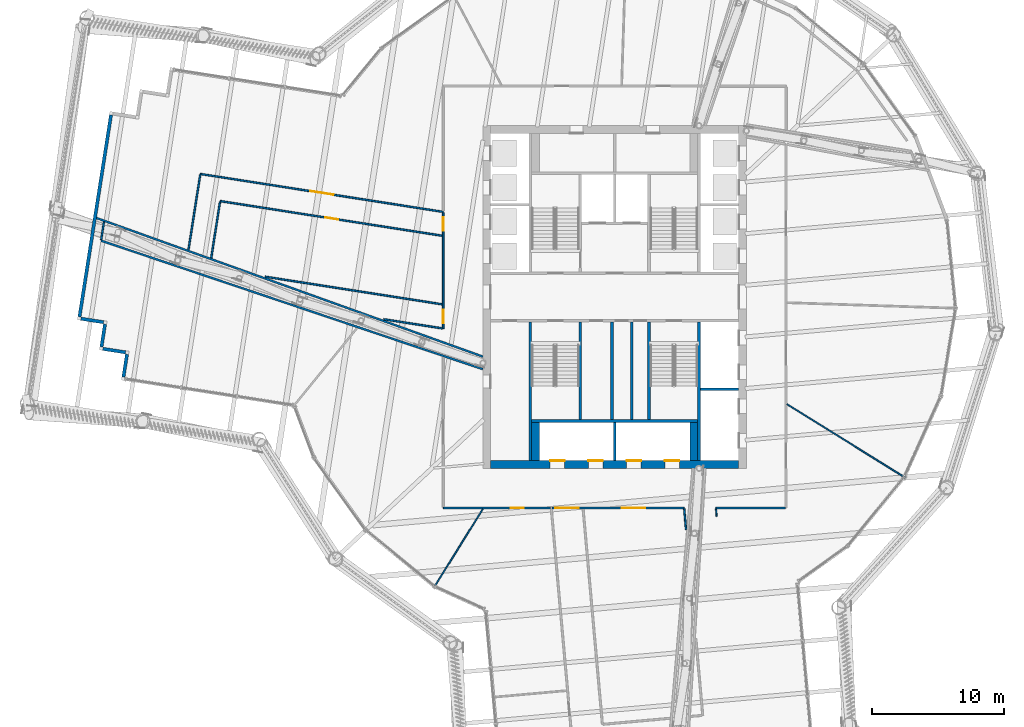
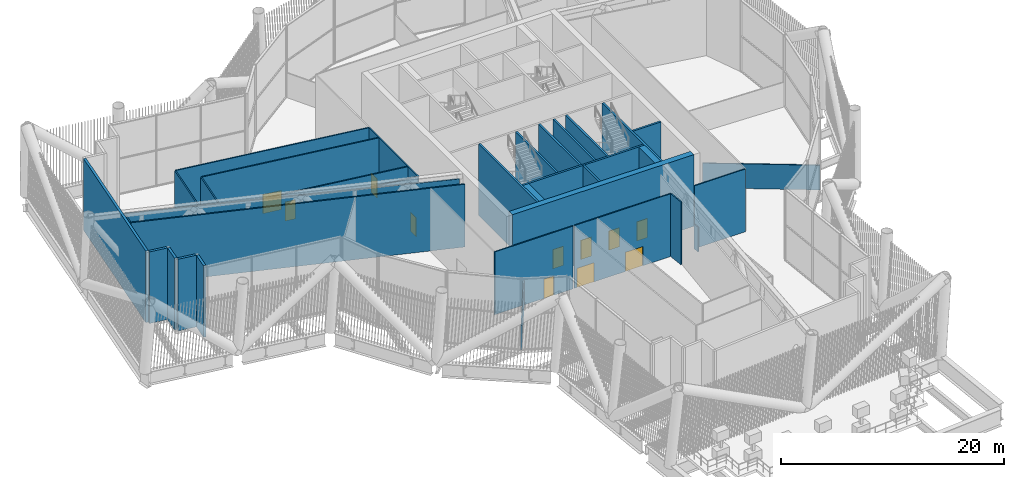
# One storey, part 30 of 55: 34 walls, 11 doors, 11 openings.
"""IFC4 building model written with IfcOpenShell, lengths in metres."""

from ifc_helpers import new_model, si_unit, direction, frame, frame_2d, origin, place, context, subcontext, project, spatial, rectangle, extrude, material, layer, layer_set, type_object, element, fill, save


model = new_model("IFC4")

# Units and contexts
model_context = context("Model", 3, precision=1e-05, world=origin(), true_north=direction((0.0, 1.0)))
body_context = subcontext(model_context, "Body", "Model", "MODEL_VIEW")
ifc_project = project(units=[si_unit("LENGTHUNIT", "METRE"), si_unit("AREAUNIT", "SQUARE_METRE"), si_unit("VOLUMEUNIT", "CUBIC_METRE"), si_unit("PLANEANGLEUNIT", "RADIAN"), si_unit("MASSUNIT", "GRAM", prefix="KILO")], contexts=[model_context])

# Site, building, storey
site_placement = place(None, origin())
site = spatial("IfcSite", under=ifc_project, at=site_placement, CompositionType="ELEMENT")
building_placement = place(site_placement, origin())
building = spatial("IfcBuilding", under=site, at=building_placement, Name="Tarsis Ring Headquarters", CompositionType="ELEMENT")
storey_placement = place(building_placement, frame((0.0, 0.0, 247.199951171875)))
storey = spatial("IfcBuildingStorey", under=building, at=storey_placement, Name="L58", CompositionType="ELEMENT", Elevation=247.199951171875)

# Walls
ifc_material_1 = material(Name="Blockwork", Category="masonry")
ifc_layer_1 = layer(ifc_material_1, 0.199951171875)
ifc_layer_set_1 = layer_set([ifc_layer_1], Name="Core blockwork wall 200")
wall_type_1 = type_object("IfcWallType", Name="Core blockwork wall 200", PredefinedType="PARTITIONING", material=ifc_layer_set_1)
for number, where, z_axis, x_axis, name in (
    (1, (-0.199951171875, -9.300048828125, 0.0), (0.0, 0.0, 1.0), (0.0, 1.0, 0.0), "Core partition SV1"),
    (2, (1.300048828125, -9.300048828125, 0.0), (0.0, 0.0, 1.0), (0.0, 1.0, 0.0), "Core partition SV2"),
):
    element("IfcWall", number, at=place(storey_placement, frame(where, z_axis=z_axis, x_axis=x_axis)), inside=storey, type_object=wall_type_1, Name=name, PredefinedType="PARTITIONING", context=body_context, shape_type="SweptSolid", body=[
        extrude(rectangle(XDim=7.400146484375, YDim=0.199951171875, at=frame_2d((3.7001953125, 0.0))), origin(), (0.0, 0.0, 1.0), 7.840087890625),
    ])

# Wall, openings, doors
ifc_material_2 = material(Name="Concrete C50/60", Category="concrete")
ifc_layer_2 = layer(ifc_material_2, 0.60009765625)
ifc_layer_set_2 = layer_set([ifc_layer_2], Name="Core wall 600 C50/60")
wall_type_2 = type_object("IfcWallType", Name="Core wall 600 C50/60", PredefinedType="SHEAR", material=ifc_layer_set_2)
wall_1_placement = place(storey_placement, frame((-9.39990234375, -12.699951171875, 0.0), z_axis=(0.0, 0.0, 1.0), x_axis=(1.0, 0.0, 0.0)))
wall_1 = element("IfcWall", 3, at=wall_1_placement, inside=storey, type_object=wall_type_2, Name="Core wall OS", PredefinedType="SHEAR", context=body_context, shape_type="SweptSolid", body=[
    extrude(rectangle(XDim=18.7998046875, YDim=0.60009765625, at=frame_2d((9.39990234375, 0.0))), origin(), (0.0, 0.0, 1.0), 7.840087890625),
])
opening_1_placement = place(wall_1_placement, frame((4.5, 0.0, 0.0)))
opening_1 = element("IfcOpeningElement", 4, at=opening_1_placement, cuts=wall_1, Name="Opening LD-S581", PredefinedType="OPENING", context=body_context, shape_type="SweptSolid", body=[
    extrude(rectangle(XDim=1.10009765625, YDim=2.10009765625, at=frame_2d((0.550048828125, 1.050048828125))), frame((0.0, 0.31005859375, 0.0), z_axis=(0.0, -1.0, 0.0), x_axis=(1.0, 0.0, 0.0)), (0.0, 0.0, 1.0), 0.6201171875),
])
opening_2_placement = place(wall_1_placement, frame((7.39990234375, 0.0, 0.0)))
opening_2 = element("IfcOpeningElement", 5, at=opening_2_placement, cuts=wall_1, Name="Opening LD-S582", PredefinedType="OPENING", context=body_context, shape_type="SweptSolid", body=[
    extrude(rectangle(XDim=1.10009765625, YDim=2.10009765625, at=frame_2d((0.550048828125, 1.050048828125))), frame((0.0, 0.31005859375, 0.0), z_axis=(0.0, -1.0, 0.0), x_axis=(1.0, 0.0, 0.0)), (0.0, 0.0, 1.0), 0.6201171875),
])
opening_3_placement = place(wall_1_placement, frame((10.300048828125, 0.0, 0.0)))
opening_3 = element("IfcOpeningElement", 6, at=opening_3_placement, cuts=wall_1, Name="Opening LD-S583", PredefinedType="OPENING", context=body_context, shape_type="SweptSolid", body=[
    extrude(rectangle(XDim=1.10009765625, YDim=2.10009765625, at=frame_2d((0.550048828125, 1.050048828125))), frame((0.0, 0.31005859375, 0.0), z_axis=(0.0, -1.0, 0.0), x_axis=(1.0, 0.0, 0.0)), (0.0, 0.0, 1.0), 0.6201171875),
])
opening_4_placement = place(wall_1_placement, frame((13.199951171875, 0.0, 0.0)))
opening_4 = element("IfcOpeningElement", 7, at=opening_4_placement, cuts=wall_1, Name="Opening LD-S584", PredefinedType="OPENING", context=body_context, shape_type="SweptSolid", body=[
    extrude(rectangle(XDim=1.10009765625, YDim=2.10009765625, at=frame_2d((0.550048828125, 1.050048828125))), frame((0.0, 0.31005859375, 0.0), z_axis=(0.0, -1.0, 0.0), x_axis=(1.0, 0.0, 0.0)), (0.0, 0.0, 1.0), 0.6201171875),
])
ifc_material_3 = material(Name="Steel S355", Category="steel")
door_type_1 = type_object("IfcDoorType", Name="Landing door 1100x2100", OperationType="SLIDING_TO_LEFT", PredefinedType="DOOR", material=ifc_material_3)
door_1_placement = place(opening_1_placement, origin())
door_1 = element("IfcDoor", 8, at=door_1_placement, inside=storey, type_object=door_type_1, Name="Landing door S581 L58", OperationType="SLIDING_TO_LEFT", OverallHeight=2.10009765625, OverallWidth=1.10009765625, PredefinedType="DOOR", context=body_context, shape_type="SweptSolid", body=[
    extrude(rectangle(XDim=1.10009765625, YDim=2.10009765625, at=frame_2d((0.550048828125, 1.050048828125))), frame((0.0, 0.2998046875, 0.0), z_axis=(0.0, -1.0, 0.0), x_axis=(1.0, 0.0, 0.0)), (0.0, 0.0, 1.0), 0.050048828125),
])
fill(opening_1, door_1)
door_2_placement = place(opening_2_placement, origin())
door_2 = element("IfcDoor", 9, at=door_2_placement, inside=storey, type_object=door_type_1, Name="Landing door S582 L58", OperationType="SLIDING_TO_LEFT", OverallHeight=2.10009765625, OverallWidth=1.10009765625, PredefinedType="DOOR", context=body_context, shape_type="SweptSolid", body=[
    extrude(rectangle(XDim=1.10009765625, YDim=2.10009765625, at=frame_2d((0.550048828125, 1.050048828125))), frame((0.0, 0.2998046875, 0.0), z_axis=(0.0, -1.0, 0.0), x_axis=(1.0, 0.0, 0.0)), (0.0, 0.0, 1.0), 0.050048828125),
])
fill(opening_2, door_2)
door_3_placement = place(opening_3_placement, origin())
door_3 = element("IfcDoor", 10, at=door_3_placement, inside=storey, type_object=door_type_1, Name="Landing door S583 L58", OperationType="SLIDING_TO_LEFT", OverallHeight=2.10009765625, OverallWidth=1.10009765625, PredefinedType="DOOR", context=body_context, shape_type="SweptSolid", body=[
    extrude(rectangle(XDim=1.10009765625, YDim=2.10009765625, at=frame_2d((0.550048828125, 1.050048828125))), frame((0.0, 0.2998046875, 0.0), z_axis=(0.0, -1.0, 0.0), x_axis=(1.0, 0.0, 0.0)), (0.0, 0.0, 1.0), 0.050048828125),
])
fill(opening_3, door_3)
door_4_placement = place(opening_4_placement, origin())
door_4 = element("IfcDoor", 11, at=door_4_placement, inside=storey, type_object=door_type_1, Name="Landing door S584 L58", OperationType="SLIDING_TO_LEFT", OverallHeight=2.10009765625, OverallWidth=1.10009765625, PredefinedType="DOOR", context=body_context, shape_type="SweptSolid", body=[
    extrude(rectangle(XDim=1.10009765625, YDim=2.10009765625, at=frame_2d((0.550048828125, 1.050048828125))), frame((0.0, 0.2998046875, 0.0), z_axis=(0.0, -1.0, 0.0), x_axis=(1.0, 0.0, 0.0)), (0.0, 0.0, 1.0), 0.050048828125),
])
fill(opening_4, door_4)

# Walls
ifc_material_4 = material(Name="Gypsum board on steel studs", Category="steel")
ifc_layer_3 = layer(ifc_material_4, 0.10009765625)
ifc_layer_set_3 = layer_set([ifc_layer_3], Name="FL partition 100 unrated")
wall_type_3 = type_object("IfcWallType", Name="FL partition 100 unrated", PredefinedType="PARTITIONING", material=ifc_layer_set_3)
wall_2_placement = place(storey_placement, frame((13.076416015625, -8.133056640625, 0.0), z_axis=(0.0, 0.0, 1.0), x_axis=(0.849157406772, -0.528139847506, 0.0)))
element("IfcWall", 12, at=wall_2_placement, inside=storey, type_object=wall_type_3, Name="Partition PW3", PredefinedType="PARTITIONING", context=body_context, shape_type="SweptSolid", body=[
    extrude(rectangle(XDim=10.54833984375, YDim=0.10009765625, at=frame_2d((5.274169921875, 0.0))), origin(), (0.0, 0.0, 1.0), 2.699951171875),
])
wall_3_placement = place(storey_placement, frame((-13.7041015625, -22.03369140625, 0.0), z_axis=(0.0, 0.0, 1.0), x_axis=(0.528155259259, 0.849147821123, 0.0)))
element("IfcWall", 13, at=wall_3_placement, inside=storey, type_object=wall_type_3, Name="Partition PW3", PredefinedType="PARTITIONING", context=body_context, shape_type="SweptSolid", body=[
    extrude(rectangle(XDim=7.015625, YDim=0.10009765625, at=frame_2d((3.5078125, 0.0))), origin(), (0.0, 0.0, 1.0), 2.699951171875),
])
wall_4_placement = place(storey_placement, frame((7.684814453125, -16.06982421875, 0.0), z_axis=(0.0, 0.0, 1.0), x_axis=(0.089437767229, -0.995992412518, 0.0)))
element("IfcWall", 14, at=wall_4_placement, inside=storey, type_object=wall_type_3, Name="Partition PW3", PredefinedType="PARTITIONING", context=body_context, shape_type="SweptSolid", body=[
    extrude(rectangle(XDim=0.58154296875, YDim=0.10009765625, at=frame_2d((0.290771484375, 0.0))), origin(), (0.0, 0.0, 1.0), 2.699951171875),
])

# Wall, opening, door
ifc_layer_4 = layer(ifc_material_4, 0.125)
ifc_layer_set_4 = layer_set([ifc_layer_4], Name="FL partition 125 EI 60 H6870")
wall_type_4 = type_object("IfcWallType", Name="FL partition 125 EI 60 H6870", PredefinedType="PARTITIONING", material=ifc_layer_set_4)
wall_5_placement = place(storey_placement, frame((-31.42578125, 9.3330078125, 0.0), z_axis=(0.0, 0.0, 1.0), x_axis=(0.9880130321, -0.154370490705, 0.0)))
wall_5 = element("IfcWall", 15, at=wall_5_placement, inside=storey, type_object=wall_type_4, Name="Partition PW1H687", PredefinedType="PARTITIONING", context=body_context, shape_type="SweptSolid", body=[
    extrude(rectangle(XDim=18.6494140625, YDim=0.125, at=frame_2d((9.32470703125, 0.0))), origin(), (0.0, 0.0, 1.0), 6.8701171875),
])
opening_5_placement = place(wall_5_placement, frame((8.42578125, 0.0, 0.0)))
opening_5 = element("IfcOpeningElement", 16, at=opening_5_placement, cuts=wall_5, Name="Opening D58.04", PredefinedType="OPENING", context=body_context, shape_type="SweptSolid", body=[
    extrude(rectangle(XDim=1.800048828125, YDim=2.10009765625, at=frame_2d((0.89990234375, 1.050048828125))), frame((0.0, 0.072509765625, 0.0), z_axis=(0.0, -1.0, 0.0), x_axis=(1.0, 0.0, 0.0)), (0.0, 0.0, 1.0), 0.14501953125),
])
ifc_material_5 = material(Name="Fire-rated timber door leaf in steel frame", Category="steel")
door_type_2 = type_object("IfcDoorType", Name="FL door FD60-1800", OperationType="DOUBLE_DOOR_SINGLE_SWING", PredefinedType="DOOR", material=ifc_material_5)
door_5_placement = place(opening_5_placement, origin())
door_5 = element("IfcDoor", 17, at=door_5_placement, inside=storey, type_object=door_type_2, Name="Door D58.04", OperationType="DOUBLE_DOOR_SINGLE_SWING", OverallHeight=2.10009765625, OverallWidth=1.800048828125, PredefinedType="DOOR", context=body_context, shape_type="SweptSolid", body=[
    extrude(rectangle(XDim=1.800048828125, YDim=2.10009765625, at=frame_2d((0.89990234375, 1.050048828125))), frame((0.0, 0.02490234375, 0.0), z_axis=(0.0, -1.0, 0.0), x_axis=(1.0, 0.0, 0.0)), (0.0, 0.0, 1.0), 0.050048828125),
])
fill(opening_5, door_5)

# Wall, openings, doors
wall_6_placement = place(storey_placement, frame((-13.0, -2.391845703125, 0.0), z_axis=(0.0, 0.0, 1.0), x_axis=(0.0, 1.0, 0.0)))
wall_6 = element("IfcWall", 18, at=wall_6_placement, inside=storey, type_object=wall_type_4, Name="Partition PW1H687", PredefinedType="PARTITIONING", context=body_context, shape_type="SweptSolid", body=[
    extrude(rectangle(XDim=8.7841796875, YDim=0.125, at=frame_2d((4.39208984375, 0.0))), origin(), (0.0, 0.0, 1.0), 6.8701171875),
])
opening_6_placement = place(wall_6_placement, frame((7.43505859375, 0.0, 0.0)))
opening_6 = element("IfcOpeningElement", 19, at=opening_6_placement, cuts=wall_6, Name="Opening D58.13", PredefinedType="OPENING", context=body_context, shape_type="SweptSolid", body=[
    extrude(rectangle(XDim=1.0, YDim=2.10009765625, at=frame_2d((0.5, 1.050048828125))), frame((0.0, 0.072509765625, 0.0), z_axis=(0.0, -1.0, 0.0), x_axis=(1.0, 0.0, 0.0)), (0.0, 0.0, 1.0), 0.14501953125),
])
opening_7_placement = place(wall_6_placement, frame((0.410888671875, 0.0, 0.0)))
opening_7 = element("IfcOpeningElement", 20, at=opening_7_placement, cuts=wall_6, Name="Opening D58.14", PredefinedType="OPENING", context=body_context, shape_type="SweptSolid", body=[
    extrude(rectangle(XDim=1.0, YDim=2.10009765625, at=frame_2d((0.5, 1.050048828125))), frame((0.0, 0.072509765625, 0.0), z_axis=(0.0, -1.0, 0.0), x_axis=(1.0, 0.0, 0.0)), (0.0, 0.0, 1.0), 0.14501953125),
])
door_type_3 = type_object("IfcDoorType", Name="FL door FD60-1000", OperationType="NOTDEFINED", PredefinedType="DOOR", material=ifc_material_5)
door_6_placement = place(opening_6_placement, origin())
door_6 = element("IfcDoor", 21, at=door_6_placement, inside=storey, type_object=door_type_3, Name="Door D58.13", OperationType="SINGLE_SWING_LEFT", OverallHeight=2.10009765625, OverallWidth=1.0, PredefinedType="DOOR", context=body_context, shape_type="SweptSolid", body=[
    extrude(rectangle(XDim=1.0, YDim=2.10009765625, at=frame_2d((0.5, 1.050048828125))), frame((0.0, 0.02490234375, 0.0), z_axis=(0.0, -1.0, 0.0), x_axis=(1.0, 0.0, 0.0)), (0.0, 0.0, 1.0), 0.050048828125),
])
fill(opening_6, door_6)
door_7_placement = place(opening_7_placement, origin())
door_7 = element("IfcDoor", 22, at=door_7_placement, inside=storey, type_object=door_type_3, Name="Door D58.14", OperationType="SINGLE_SWING_RIGHT", OverallHeight=2.10009765625, OverallWidth=1.0, PredefinedType="DOOR", context=body_context, shape_type="SweptSolid", body=[
    extrude(rectangle(XDim=1.0, YDim=2.10009765625, at=frame_2d((0.5, 1.050048828125))), frame((0.0, 0.02490234375, 0.0), z_axis=(0.0, -1.0, 0.0), x_axis=(1.0, 0.0, 0.0)), (0.0, 0.0, 1.0), 0.050048828125),
])
fill(opening_7, door_7)

# Wall, opening, door
wall_7_placement = place(storey_placement, frame((-13.0, -16.0, 0.0), z_axis=(0.0, 0.0, 1.0), x_axis=(1.0, 0.0, 0.0)))
wall_7 = element("IfcWall", 23, at=wall_7_placement, inside=storey, type_object=wall_type_4, Name="Partition PW1H687", PredefinedType="PARTITIONING", context=body_context, shape_type="SweptSolid", body=[
    extrude(rectangle(XDim=8.12646484375, YDim=0.125, at=frame_2d((4.063232421875, 0.0))), origin(), (0.0, 0.0, 1.0), 6.8701171875),
])
opening_8_placement = place(wall_7_placement, frame((5.11865234375, 0.0, 0.0)))
opening_8 = element("IfcOpeningElement", 24, at=opening_8_placement, cuts=wall_7, Name="Opening D58.02", PredefinedType="OPENING", context=body_context, shape_type="SweptSolid", body=[
    extrude(rectangle(XDim=1.0, YDim=2.10009765625, at=frame_2d((0.5, 1.050048828125))), frame((0.0, 0.072509765625, 0.0), z_axis=(0.0, -1.0, 0.0), x_axis=(1.0, 0.0, 0.0)), (0.0, 0.0, 1.0), 0.14501953125),
])
door_8_placement = place(opening_8_placement, origin())
door_8 = element("IfcDoor", 25, at=door_8_placement, inside=storey, type_object=door_type_3, Name="Door D58.02", OperationType="SINGLE_SWING_RIGHT", OverallHeight=2.10009765625, OverallWidth=1.0, PredefinedType="DOOR", context=body_context, shape_type="SweptSolid", body=[
    extrude(rectangle(XDim=1.0, YDim=2.10009765625, at=frame_2d((0.5, 1.050048828125))), frame((0.0, 0.02490234375, 0.0), z_axis=(0.0, -1.0, 0.0), x_axis=(1.0, 0.0, 0.0)), (0.0, 0.0, 1.0), 0.050048828125),
])
fill(opening_8, door_8)

# Wall, openings, doors
wall_8_placement = place(storey_placement, frame((-4.742919921875, -16.0, 0.0), z_axis=(0.0, 0.0, 1.0), x_axis=(1.0, 0.0, 0.0)))
wall_8 = element("IfcWall", 26, at=wall_8_placement, inside=storey, type_object=wall_type_4, Name="Partition PW1H687", PredefinedType="PARTITIONING", context=body_context, shape_type="SweptSolid", body=[
    extrude(rectangle(XDim=10.01171875, YDim=0.125, at=frame_2d((5.005859375, 0.0))), origin(), (0.0, 0.0, 1.0), 6.8701171875),
])
opening_9_placement = place(wall_8_placement, frame((5.276611328125, 0.0, 0.0)))
opening_9 = element("IfcOpeningElement", 27, at=opening_9_placement, cuts=wall_8, Name="Opening D58.11", PredefinedType="OPENING", context=body_context, shape_type="SweptSolid", body=[
    extrude(rectangle(XDim=1.800048828125, YDim=2.10009765625, at=frame_2d((0.89990234375, 1.050048828125))), frame((0.0, 0.072509765625, 0.0), z_axis=(0.0, -1.0, 0.0), x_axis=(1.0, 0.0, 0.0)), (0.0, 0.0, 1.0), 0.14501953125),
])
opening_10_placement = place(wall_8_placement, frame((0.236572265625, 0.0, 0.0)))
opening_10 = element("IfcOpeningElement", 28, at=opening_10_placement, cuts=wall_8, Name="Opening D58.12", PredefinedType="OPENING", context=body_context, shape_type="SweptSolid", body=[
    extrude(rectangle(XDim=1.800048828125, YDim=2.10009765625, at=frame_2d((0.89990234375, 1.050048828125))), frame((0.0, 0.072509765625, 0.0), z_axis=(0.0, -1.0, 0.0), x_axis=(1.0, 0.0, 0.0)), (0.0, 0.0, 1.0), 0.14501953125),
])
door_9_placement = place(opening_9_placement, origin())
door_9 = element("IfcDoor", 29, at=door_9_placement, inside=storey, type_object=door_type_2, Name="Door D58.11", OperationType="DOUBLE_DOOR_SINGLE_SWING", OverallHeight=2.10009765625, OverallWidth=1.800048828125, PredefinedType="DOOR", context=body_context, shape_type="SweptSolid", body=[
    extrude(rectangle(XDim=1.800048828125, YDim=2.10009765625, at=frame_2d((0.89990234375, 1.050048828125))), frame((0.0, 0.02490234375, 0.0), z_axis=(0.0, -1.0, 0.0), x_axis=(1.0, 0.0, 0.0)), (0.0, 0.0, 1.0), 0.050048828125),
])
fill(opening_9, door_9)
door_10_placement = place(opening_10_placement, origin())
door_10 = element("IfcDoor", 30, at=door_10_placement, inside=storey, type_object=door_type_2, Name="Door D58.12", OperationType="DOUBLE_DOOR_SINGLE_SWING", OverallHeight=2.10009765625, OverallWidth=1.800048828125, PredefinedType="DOOR", context=body_context, shape_type="SweptSolid", body=[
    extrude(rectangle(XDim=1.800048828125, YDim=2.10009765625, at=frame_2d((0.89990234375, 1.050048828125))), frame((0.0, 0.02490234375, 0.0), z_axis=(0.0, -1.0, 0.0), x_axis=(1.0, 0.0, 0.0)), (0.0, 0.0, 1.0), 0.050048828125),
])
fill(opening_10, door_10)

# Wall, opening, door
wall_9_placement = place(storey_placement, frame((-29.92529296875, 7.276611328125, 0.0), z_axis=(0.0, 0.0, 1.0), x_axis=(0.98801414812, -0.154363347707, 0.0)))
wall_9 = element("IfcWall", 31, at=wall_9_placement, inside=storey, type_object=wall_type_4, Name="Partition PW1H687", PredefinedType="PARTITIONING", context=body_context, shape_type="SweptSolid", body=[
    extrude(rectangle(XDim=17.060791015625, YDim=0.125, at=frame_2d((8.5302734375, 0.0))), origin(), (0.0, 0.0, 1.0), 6.8701171875),
])
opening_11_placement = place(wall_9_placement, frame((8.06640625, 0.0, 0.0)))
opening_11 = element("IfcOpeningElement", 32, at=opening_11_placement, cuts=wall_9, Name="Opening D58.10", PredefinedType="OPENING", context=body_context, shape_type="SweptSolid", body=[
    extrude(rectangle(XDim=1.0, YDim=2.10009765625, at=frame_2d((0.5, 1.050048828125))), frame((0.0, 0.072509765625, 0.0), z_axis=(0.0, -1.0, 0.0), x_axis=(1.0, 0.0, 0.0)), (0.0, 0.0, 1.0), 0.14501953125),
])
door_11_placement = place(opening_11_placement, origin())
door_11 = element("IfcDoor", 33, at=door_11_placement, inside=storey, type_object=door_type_3, Name="Door D58.10", OperationType="SINGLE_SWING_RIGHT", OverallHeight=2.10009765625, OverallWidth=1.0, PredefinedType="DOOR", context=body_context, shape_type="SweptSolid", body=[
    extrude(rectangle(XDim=1.0, YDim=2.10009765625, at=frame_2d((0.5, 1.050048828125))), frame((0.0, 0.02490234375, 0.0), z_axis=(0.0, -1.0, 0.0), x_axis=(1.0, 0.0, 0.0)), (0.0, 0.0, 1.0), 0.050048828125),
])
fill(opening_11, door_11)

# Walls
wall_10_placement = place(storey_placement, frame((-26.510009765625, 1.540771484375, 0.0), z_axis=(0.0, 0.0, 1.0), x_axis=(0.988012546984, -0.154373595545, 0.0)))
element("IfcWall", 34, at=wall_10_placement, inside=storey, type_object=wall_type_4, Name="Partition PW1H687", PredefinedType="PARTITIONING", context=body_context, shape_type="SweptSolid", body=[
    extrude(rectangle(XDim=13.60400390625, YDim=0.125, at=frame_2d((6.802001953125, 0.0))), origin(), (0.0, 0.0, 1.0), 6.8701171875),
])
wall_11_placement = place(storey_placement, frame((-32.32470703125, 3.58056640625, 0.0), z_axis=(0.0, 0.0, 1.0), x_axis=(0.154352322843, 0.988015870537, 0.0)))
element("IfcWall", 35, at=wall_11_placement, inside=storey, type_object=wall_type_4, Name="Partition PW1H687", PredefinedType="PARTITIONING", context=body_context, shape_type="SweptSolid", body=[
    extrude(rectangle(XDim=5.76220703125, YDim=0.125, at=frame_2d((2.881103515625, 0.0))), origin(), (0.0, 0.0, 1.0), 6.8701171875),
])
wall_12_placement = place(storey_placement, frame((7.6787109375, -16.0, 0.0), z_axis=(0.0, 0.0, 1.0), x_axis=(1.0, 0.0, 0.0)))
element("IfcWall", 36, at=wall_12_placement, inside=storey, type_object=wall_type_4, Name="Partition PW1H687", PredefinedType="PARTITIONING", context=body_context, shape_type="SweptSolid", body=[
    extrude(rectangle(XDim=5.25927734375, YDim=0.125, at=frame_2d((2.629638671875, 0.0))), origin(), (0.0, 0.0, 1.0), 6.8701171875),
])
wall_13_placement = place(storey_placement, frame((-17.5126953125, -1.68701171875, 0.0), z_axis=(0.0, 0.0, 1.0), x_axis=(0.988019536065, -0.154328857812, 0.0)))
element("IfcWall", 37, at=wall_13_placement, inside=storey, type_object=wall_type_4, Name="Partition PW1H687", PredefinedType="PARTITIONING", context=body_context, shape_type="SweptSolid", body=[
    extrude(rectangle(XDim=4.49755859375, YDim=0.125, at=frame_2d((2.248779296875, 0.0))), origin(), (0.0, 0.0, 1.0), 6.8701171875),
])
wall_14_placement = place(storey_placement, frame((-30.599609375, 2.961669921875, 0.0), z_axis=(0.0, 0.0, 1.0), x_axis=(0.154344027548, 0.98801716643, 0.0)))
element("IfcWall", 38, at=wall_14_placement, inside=storey, type_object=wall_type_4, Name="Partition PW1H687", PredefinedType="PARTITIONING", context=body_context, shape_type="SweptSolid", body=[
    extrude(rectangle(XDim=4.30712890625, YDim=0.125, at=frame_2d((2.153564453125, 0.0))), origin(), (0.0, 0.0, 1.0), 6.8701171875),
])
wall_15_placement = place(storey_placement, frame((5.2744140625, -16.059814453125, 0.0), z_axis=(0.0, 0.0, 1.0), x_axis=(0.089142684318, -0.996018866203, 0.0)))
element("IfcWall", 39, at=wall_15_placement, inside=storey, type_object=wall_type_4, Name="Partition PW1H687", PredefinedType="PARTITIONING", context=body_context, shape_type="SweptSolid", body=[
    extrude(rectangle(XDim=1.580322265625, YDim=0.125, at=frame_2d((0.7900390625, 0.0))), origin(), (0.0, 0.0, 1.0), 6.8701171875),
])
wall_16_placement = place(storey_placement, frame((-38.9462890625, 4.344482421875, 0.0), z_axis=(0.0, 0.0, 1.0), x_axis=(0.154566564983, 0.987982376862, 0.0)))
element("IfcWall", 40, at=wall_16_placement, inside=storey, type_object=wall_type_4, Name="Partition PW1H687", PredefinedType="PARTITIONING", context=body_context, shape_type="SweptSolid", body=[
    extrude(rectangle(XDim=1.374267578125, YDim=0.125, at=frame_2d((0.68701171875, 0.0))), origin(), (0.0, 0.0, 1.0), 6.8701171875),
])
ifc_layer_5 = layer(ifc_material_4, 0.14990234375)
ifc_layer_set_5 = layer_set([ifc_layer_5], Name="FL partition 150 EI 120 H6870")
wall_type_5 = type_object("IfcWallType", Name="FL partition 150 EI 120 H6870", PredefinedType="PARTITIONING", material=ifc_layer_set_5)
wall_17_placement = place(storey_placement, frame((-39.48388671875, 6.057861328125, 0.0), z_axis=(0.0, 0.0, 1.0), x_axis=(0.941267349522, -0.337662222826, 0.0)))
element("IfcWall", 41, at=wall_17_placement, inside=storey, type_object=wall_type_5, Name="Partition PW2H687", PredefinedType="PARTITIONING", context=body_context, shape_type="SweptSolid", body=[
    extrude(rectangle(XDim=31.32470703125, YDim=0.14990234375, at=frame_2d((15.662353515625, 0.0))), origin(), (0.0, 0.0, 1.0), 6.8701171875),
])
wall_18_placement = place(storey_placement, frame((-38.95703125, 4.27490234375, 0.0), z_axis=(0.0, 0.0, 1.0), x_axis=(0.947720094372, -0.319102840355, 0.0)))
element("IfcWall", 42, at=wall_18_placement, inside=storey, type_object=wall_type_5, Name="Partition PW2H687", PredefinedType="PARTITIONING", context=body_context, shape_type="SweptSolid", body=[
    extrude(rectangle(XDim=30.554443359375, YDim=0.14990234375, at=frame_2d((15.27734375, 0.0))), origin(), (0.0, 0.0, 1.0), 6.8701171875),
])
ifc_material_6 = material(Name="Terracotta clad insulated panel wall", Category="masonry")
ifc_layer_6 = layer(ifc_material_6, 0.25)
ifc_layer_set_6 = layer_set([ifc_layer_6], Name="Facade wall terracotta panel 250")
wall_type_6 = type_object("IfcWallType", Name="Facade wall terracotta panel 250", PredefinedType="STANDARD", material=ifc_layer_set_6)
wall_19_placement = place(storey_placement, frame((-38.20068359375, 13.8125, 0.0), z_axis=(0.0, 0.0, 1.0), x_axis=(-0.15436006314, -0.988014661282, 0.0)))
element("IfcWall", 43, at=wall_19_placement, inside=storey, type_object=wall_type_6, Name="External wall L58-36", PredefinedType="STANDARD", context=body_context, shape_type="SweptSolid", body=[
    extrude(rectangle(XDim=15.5, YDim=0.25, at=frame_2d((7.75, 0.0))), origin(), (0.0, 0.0, 1.0), 7.840087890625),
])
for number, where, z_axis, x_axis, name in (
    (44, (-40.4892578125, -1.64453125, 0.0), (0.0, 0.0, 1.0), (0.988002722489, -0.154436460575, 0.0), "External wall L58-37"),
    (45, (-38.656005859375, -2.0576171875, 0.0), (0.0, 0.0, 1.0), (-0.154300274554, -0.988024000353, 0.0), "External wall L58-38"),
    (46, (-38.82177734375, -3.929443359375, 0.0), (0.0, 0.0, 1.0), (0.988024000353, -0.154300274554, 0.0), "External wall L58-39"),
    (47, (-36.98876953125, -4.34228515625, 0.0), (0.0, 0.0, 1.0), (-0.154300274554, -0.988024000353, 0.0), "External wall L58-40"),
):
    element("IfcWall", number, at=place(storey_placement, frame(where, z_axis=z_axis, x_axis=x_axis)), inside=storey, type_object=wall_type_6, Name=name, PredefinedType="STANDARD", context=body_context, shape_type="SweptSolid", body=[
        extrude(rectangle(XDim=1.75, YDim=0.25, at=frame_2d((0.875, 0.0))), origin(), (0.0, 0.0, 1.0), 7.840087890625),
    ])
ifc_material_7 = material(Name="Concrete C32/40", Category="concrete")
ifc_layer_7 = layer(ifc_material_7, 0.60009765625)
ifc_layer_set_7 = layer_set([ifc_layer_7], Name="Shaft end wall 600 C32/40")
wall_type_7 = type_object("IfcWallType", Name="Shaft end wall 600 C32/40", PredefinedType="SOLIDWALL", material=ifc_layer_set_7)
for number, where, z_axis, x_axis, name in (
    (48, (-6.0, -12.39990234375, 0.0), (0.0, 0.0, 1.0), (0.0, 1.0, 0.0), "Core shaft wall SNE1"),
    (49, (6.0, -12.39990234375, 0.0), (0.0, 0.0, 1.0), (0.0, 1.0, 0.0), "Core shaft wall SNE2"),
):
    element("IfcWall", number, at=place(storey_placement, frame(where, z_axis=z_axis, x_axis=x_axis)), inside=storey, type_object=wall_type_7, Name=name, PredefinedType="SOLIDWALL", context=body_context, shape_type="SweptSolid", body=[
        extrude(rectangle(XDim=2.89990234375, YDim=0.60009765625, at=frame_2d((1.449951171875, 0.0))), origin(), (0.0, 0.0, 1.0), 7.840087890625),
    ])
ifc_layer_8 = layer(ifc_material_7, 0.199951171875)
ifc_layer_set_8 = layer_set([ifc_layer_8], Name="Shaft wall 200 C32/40")
wall_type_8 = type_object("IfcWallType", Name="Shaft wall 200 C32/40", PredefinedType="SOLIDWALL", material=ifc_layer_set_8)
for number, where, z_axis, x_axis, name in (
    (50, (-6.39990234375, -12.39990234375, 0.0), (0.0, 0.0, 1.0), (0.0, 1.0, 0.0), "Core shaft wall WB1"),
    (51, (6.39990234375, -12.39990234375, 0.0), (0.0, 0.0, 1.0), (0.0, 1.0, 0.0), "Core shaft wall EB1"),
):
    element("IfcWall", number, at=place(storey_placement, frame(where, z_axis=z_axis, x_axis=x_axis)), inside=storey, type_object=wall_type_8, Name=name, PredefinedType="SOLIDWALL", context=body_context, shape_type="SweptSolid", body=[
        extrude(rectangle(XDim=10.5, YDim=0.199951171875, at=frame_2d((5.25, 0.0))), origin(), (0.0, 0.0, 1.0), 7.840087890625),
    ])
wall_20_placement = place(storey_placement, frame((-6.300048828125, -9.39990234375, 0.0), z_axis=(0.0, 0.0, 1.0), x_axis=(1.0, 0.0, 0.0)))
element("IfcWall", 52, at=wall_20_placement, inside=storey, type_object=wall_type_8, Name="Core shaft wall SB", PredefinedType="SOLIDWALL", context=body_context, shape_type="SweptSolid", body=[
    extrude(rectangle(XDim=12.60009765625, YDim=0.199951171875, at=frame_2d((6.300048828125, 0.0))), origin(), (0.0, 0.0, 1.0), 7.840087890625),
])
for number, where, z_axis, x_axis, name in (
    (53, (-2.60009765625, -9.300048828125, 0.0), (0.0, 0.0, 1.0), (0.0, 1.0, 0.0), "Core shaft wall SW3"),
    (54, (2.60009765625, -9.300048828125, 0.0), (0.0, 0.0, 1.0), (0.0, 1.0, 0.0), "Core shaft wall SW4"),
):
    element("IfcWall", number, at=place(storey_placement, frame(where, z_axis=z_axis, x_axis=x_axis)), inside=storey, type_object=wall_type_8, Name=name, PredefinedType="SOLIDWALL", context=body_context, shape_type="SweptSolid", body=[
        extrude(rectangle(XDim=7.400146484375, YDim=0.199951171875, at=frame_2d((3.7001953125, 0.0))), origin(), (0.0, 0.0, 1.0), 7.840087890625),
    ])
for number, where, z_axis, x_axis, name in (
    (55, (6.5, -7.0, 0.0), (0.0, 0.0, 1.0), (1.0, 0.0, 0.0), "Core shaft wall ED2"),
    (56, (0.0, -12.39990234375, 0.0), (0.0, 0.0, 1.0), (0.0, 1.0, 0.0), "Core shaft wall SD2"),
):
    element("IfcWall", number, at=place(storey_placement, frame(where, z_axis=z_axis, x_axis=x_axis)), inside=storey, type_object=wall_type_8, Name=name, PredefinedType="SOLIDWALL", context=body_context, shape_type="SweptSolid", body=[
        extrude(rectangle(XDim=2.89990234375, YDim=0.199951171875, at=frame_2d((1.449951171875, 0.0))), origin(), (0.0, 0.0, 1.0), 7.840087890625),
    ])

save(model, "model.ifc")
